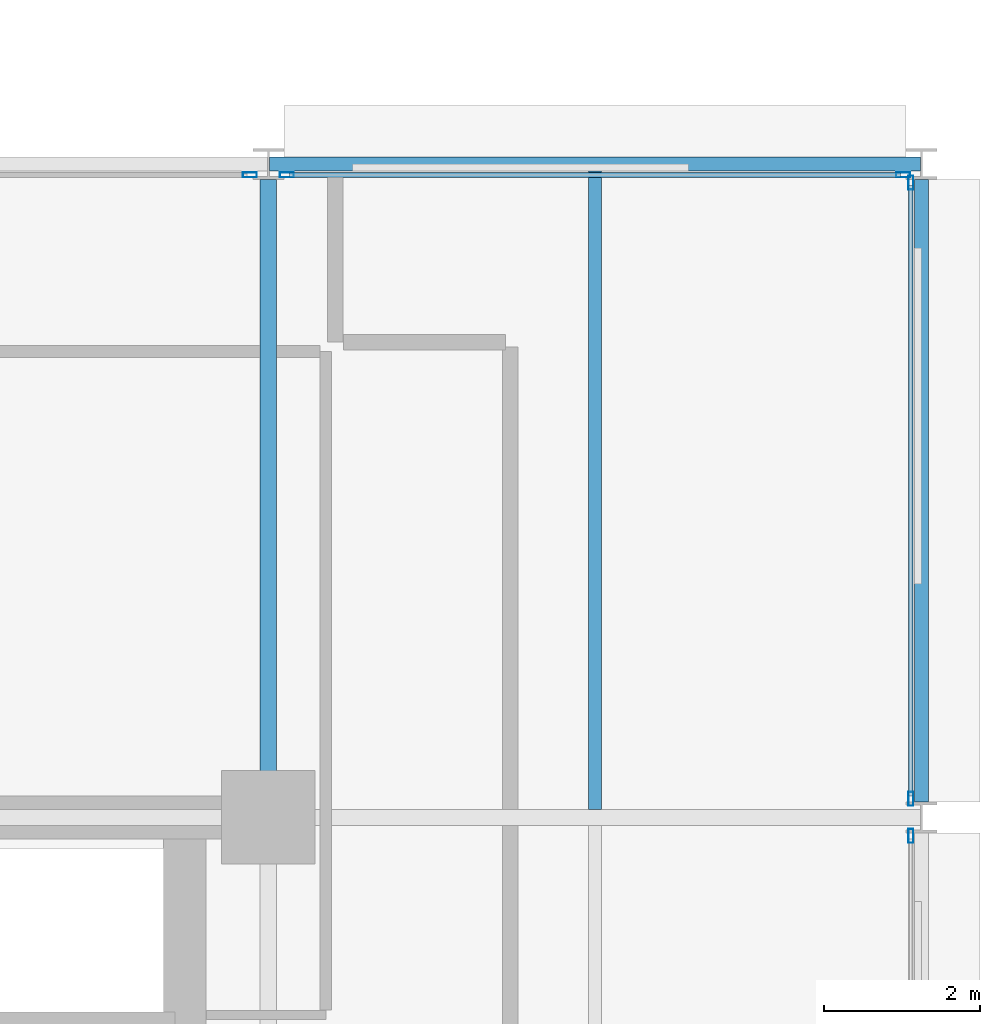
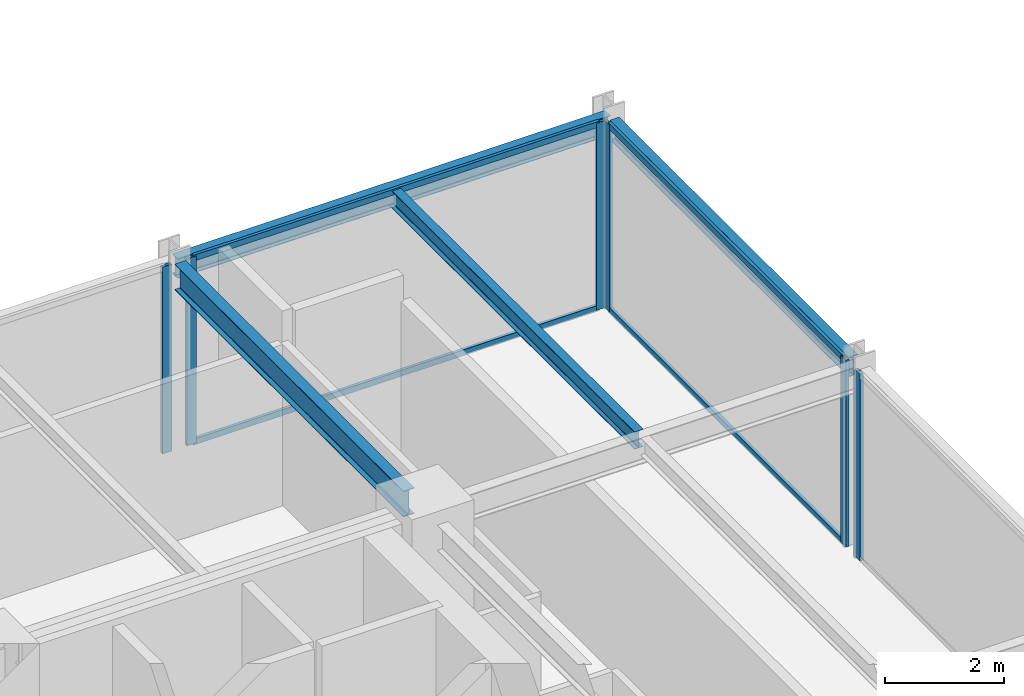
# One storey, part 15 of 30: 10 members, 4 beams, 4 elements without a shape of their own.
"""IFC4 building model written with IfcOpenShell, lengths in metres."""

import ifcopenshell
import ifcopenshell.guid

model = None  # the IFC model being written
_history = None  # IfcOwnerHistory: only IFC2X3 demands one
_inside = {}  # id of a spatial element -> (the spatial element, [elements in it])
_under = {}  # id of a project, library or spatial element -> (it, [spatial elements below it])
_declared = {}  # id of a project -> (the project, [libraries it declares])
_typed = {}  # id of a type object -> (the type object, [elements of that type])
_made_of = {}  # id of a material, layer set ... -> (it, [elements and type objects made of it])


def new_model(schema):
    """Start an empty IFC model of exactly this schema.

    Asked for "IFC4X3", IfcOpenShell would pick the latest addendum, in which some entities
    have other attributes; the version numbers below select the first issue.
    IFC2X3 requires an IfcOwnerHistory on every rooted entity: one is made here for all.
    """
    global model, _history
    if schema == "IFC4X3":
        model = ifcopenshell.file(schema_version=(4, 3, 0, 0))
    else:
        model = ifcopenshell.file(schema=schema)
    _inside.clear()
    _under.clear()
    _declared.clear()
    _typed.clear()
    _made_of.clear()
    _history = None
    if model.schema == "IFC2X3":
        org = make("IfcOrganization", Name="unknown")
        user = make(
            "IfcPersonAndOrganization",
            ThePerson=make("IfcPerson", FamilyName="unknown"),
            TheOrganization=org,
        )
        app = make(
            "IfcApplication",
            ApplicationDeveloper=org,
            Version="unknown",
            ApplicationFullName="unknown",
            ApplicationIdentifier="unknown",
        )
        _history = make(
            "IfcOwnerHistory",
            OwningUser=user,
            OwningApplication=app,
            ChangeAction="ADDED",
            CreationDate=0,
        )
    return model


def make(cls, **values):
    """One entity of the class cls with the attributes given. An attribute that is None is left unset."""
    return model.create_entity(
        cls, **{name: value for name, value in values.items() if value is not None}
    )


def rooted(cls, **values):
    """An entity with a GlobalId (a new one), such as an element, a storey or a relation."""
    return make(cls, GlobalId=ifcopenshell.guid.new(), OwnerHistory=_history, **values)


def si_unit(unit_type, name, prefix=None):
    """IfcSIUnit, for example si_unit("LENGTHUNIT", "METRE", prefix="MILLI")."""
    return make("IfcSIUnit", UnitType=unit_type, Prefix=prefix, Name=name)


def assignment(units):
    """IfcUnitAssignment: the units of a project."""
    return None if units is None else make("IfcUnitAssignment", Units=units)


def point(xyz):
    """IfcCartesianPoint."""
    return None if xyz is None else make("IfcCartesianPoint", Coordinates=xyz)


def direction(xyz):
    """IfcDirection."""
    return None if xyz is None else make("IfcDirection", DirectionRatios=xyz)


def frame(location, z_axis=None, x_axis=None):
    """IfcAxis2Placement3D, a coordinate frame: its origin and axes. An axis left out is left unset."""
    return make(
        "IfcAxis2Placement3D",
        Location=point(location),
        Axis=direction(z_axis),
        RefDirection=direction(x_axis),
    )


def frame_2d(location, x_axis=None):
    """IfcAxis2Placement2D, a coordinate frame in the plane: its origin and x axis."""
    return make(
        "IfcAxis2Placement2D", Location=point(location), RefDirection=direction(x_axis)
    )


def origin():
    """The frame at (0, 0, 0) with its axes left unset."""
    return frame((0.0, 0.0, 0.0))


def origin_2d():
    """The frame at (0, 0) in the plane with its x axis left unset."""
    return frame_2d((0.0, 0.0))


def place(relative_to, where):
    """IfcLocalPlacement: puts the frame where relative to a parent placement (None: the world)."""
    return make(
        "IfcLocalPlacement", PlacementRelTo=relative_to, RelativePlacement=where
    )


def context(
    kind, dimensions, precision=None, world=None, true_north=None, identifier=None
):
    """IfcGeometricRepresentationContext, for example the 3D "Model" context."""
    return make(
        "IfcGeometricRepresentationContext",
        ContextIdentifier=identifier,
        ContextType=kind,
        CoordinateSpaceDimension=dimensions,
        Precision=precision,
        WorldCoordinateSystem=world,
        TrueNorth=true_north,
    )


def subcontext(parent, identifier, kind, view, scale=None):
    """IfcGeometricRepresentationSubContext, for example "Body" below "Model"."""
    return make(
        "IfcGeometricRepresentationSubContext",
        ContextIdentifier=identifier,
        ContextType=kind,
        ParentContext=parent,
        TargetScale=scale,
        TargetView=view,
    )


def project(units=None, contexts=None):
    """IfcProject with its units and contexts."""
    return rooted(
        "IfcProject",
        Name="project",
        RepresentationContexts=contexts,
        UnitsInContext=assignment(units),
    )


def spatial(cls, under=None, at=None, **own):
    """A site, building, storey or space (cls), placed at a placement, below another one or the project."""
    s = rooted(cls, ObjectPlacement=at, **own)
    if under is not None:
        _under.setdefault(under.id(), (under, []))[1].append(s)
    return s


def profile(cls, at=None, kind="AREA", **sizes):
    """A parametric profile (cls). Its sizes go by their IFC names, for example OverallWidth=200.0."""
    return make(cls, ProfileType=kind, Position=at, **sizes)


def hollow_rectangle(**sizes):
    """IfcRectangleHollowProfileDef."""
    return profile("IfcRectangleHollowProfileDef", **sizes)


def i_section(**sizes):
    """IfcIShapeProfileDef."""
    return profile("IfcIShapeProfileDef", **sizes)


def extrude(swept, where, along, depth):
    """IfcExtrudedAreaSolid: the profile swept, set in the frame where, extruded along a direction by depth."""
    return make(
        "IfcExtrudedAreaSolid",
        SweptArea=swept,
        Position=where,
        ExtrudedDirection=direction(along),
        Depth=depth,
    )


def shape(context_of_items, identifier, shape_type, items):
    """IfcShapeRepresentation: the items that make up one representation, for example the "Body"."""
    return make(
        "IfcShapeRepresentation",
        ContextOfItems=context_of_items,
        RepresentationIdentifier=identifier,
        RepresentationType=shape_type,
        Items=items,
    )


def material(Name=None, Category=None):
    """IfcMaterial."""
    return make("IfcMaterial", Name=Name, Category=Category)


def layer(
    of_material, thickness, ventilated=None, Name=None, Category=None, Priority=None
):
    """IfcMaterialLayer: one layer of a wall or slab, of a material (None: an air gap)."""
    return make(
        "IfcMaterialLayer",
        Material=of_material,
        LayerThickness=thickness,
        IsVentilated=ventilated,
        Name=Name,
        Category=Category,
        Priority=Priority,
    )


def layer_set(layers, Name=None):
    """IfcMaterialLayerSet."""
    return make("IfcMaterialLayerSet", MaterialLayers=layers, LayerSetName=Name)


def material_profile(
    of_material, cross_section, Name=None, Category=None, Priority=None
):
    """IfcMaterialProfile: a cross section and its material."""
    return make(
        "IfcMaterialProfile",
        Name=Name,
        Material=of_material,
        Profile=cross_section,
        Priority=Priority,
        Category=Category,
    )


def profile_set(profiles, Name=None, composite=None):
    """IfcMaterialProfileSet."""
    return make(
        "IfcMaterialProfileSet",
        Name=Name,
        MaterialProfiles=profiles,
        CompositeProfile=composite,
    )


def made_of(thing, what):
    """Note that an element or type object is made of a material, layer set ...; save() writes the relation."""
    if what is not None:
        _made_of.setdefault(what.id(), (what, []))[1].append(thing)
    return thing


def type_object(cls, material=None, **own):
    """A type object (cls), such as IfcWallType, which elements share."""
    return made_of(rooted(cls, **own), material)


def element(
    cls,
    number,
    at=None,
    inside=None,
    cuts=None,
    type_object=None,
    material=None,
    context=None,
    identifier="Body",
    shape_type=None,
    held_by="IfcProductDefinitionShape",
    body=None,
    shapes=None,
    **own,
):
    """One element of the class cls, such as IfcWall. Its Tag is "e" and its number.

    at: its placement. inside: the storey or other place that contains it. cuts: it is an
    opening in that element (IfcRelVoidsElement). A single representation is given by context,
    identifier, shape_type and body (its items); several are given by shapes. held_by: the class
    of the entity that holds the representations. save() writes the other relations.
    """
    e = rooted(cls, Tag="e%d" % number, ObjectPlacement=at, **own)
    if body is not None:
        shapes = [shape(context, identifier, shape_type, body)]
    if shapes is not None:
        e.Representation = make(held_by, Representations=shapes)
    if inside is not None:
        _inside.setdefault(inside.id(), (inside, []))[1].append(e)
    if cuts is not None:
        rooted(
            "IfcRelVoidsElement", RelatingBuildingElement=cuts, RelatedOpeningElement=e
        )
    if type_object is not None:
        _typed.setdefault(type_object.id(), (type_object, []))[1].append(e)
    return made_of(e, material)


def aggregate(whole, parts):
    """IfcRelAggregates: a whole, such as a stair, and the parts it consists of."""
    return rooted("IfcRelAggregates", RelatingObject=whole, RelatedObjects=parts)


def save(model, path):
    """Write the relations noted so far, then the file.

    IfcRelAggregates (storeys below a building ...), IfcRelContainedInSpatialStructure (elements
    in a storey), IfcRelDefinesByType, IfcRelAssociatesMaterial and IfcRelDeclares: one each for
    every whole, place, type object, material and project.
    """
    for whole, parts in _under.values():
        aggregate(whole, parts)
    for where, things in _inside.values():
        rooted(
            "IfcRelContainedInSpatialStructure",
            RelatedElements=things,
            RelatingStructure=where,
        )
    for kind, things in _typed.values():
        rooted("IfcRelDefinesByType", RelatedObjects=things, RelatingType=kind)
    for what, things in _made_of.values():
        rooted("IfcRelAssociatesMaterial", RelatedObjects=things, RelatingMaterial=what)
    for by, libraries in _declared.values():
        rooted("IfcRelDeclares", RelatingContext=by, RelatedDefinitions=libraries)
    model.write(path)


model = new_model("IFC4")

# Units and contexts
model_context = context("Model", 3, precision=1e-05, world=origin(), true_north=direction((0.0, 1.0)))
body_context = subcontext(model_context, "Body", "Model", "MODEL_VIEW")
ifc_project = project(units=[si_unit("LENGTHUNIT", "METRE"), si_unit("AREAUNIT", "SQUARE_METRE"), si_unit("VOLUMEUNIT", "CUBIC_METRE"), si_unit("PLANEANGLEUNIT", "RADIAN"), si_unit("MASSUNIT", "GRAM", prefix="KILO")], contexts=[model_context])

# Site, building, storey
site_placement = place(None, origin())
site = spatial("IfcSite", under=ifc_project, at=site_placement, CompositionType="ELEMENT")
building_placement = place(site_placement, origin())
building = spatial("IfcBuilding", under=site, at=building_placement, Name="Nerrivon Quay Data Exchange", CompositionType="ELEMENT")
storey_placement = place(building_placement, frame((0.0, 0.0, 129.5)))
storey = spatial("IfcBuildingStorey", under=building, at=storey_placement, Name="L30", CompositionType="ELEMENT", Elevation=129.5)

# Beams
ifc_material_1 = material(Name="Steel Grade 350", Category="steel")
ifc_material_profile_1 = material_profile(ifc_material_1, i_section(OverallWidth=0.208984375, OverallDepth=0.528076171875, WebThickness=0.009521484375, FlangeThickness=0.01318359375, FilletRadius=0.013916015625, at=origin_2d()), Name="530UB82.0")
ifc_profile_set_1 = profile_set([ifc_material_profile_1], Name="Steel Grade 350")
beam_type_1 = type_object("IfcBeamType", Name="BM-G4-530UB82", PredefinedType="BEAM", material=ifc_profile_set_1)
beam_1_placement = place(storey_placement, frame((33.60009765625, 17.340087890625, 3.56103515625), z_axis=(0.0, 1.0, 0.0), x_axis=(-1.0, 0.0, 0.0)))
element("IfcBeam", 1, at=beam_1_placement, inside=storey, type_object=beam_type_1, Name="L30 NS Girder X=33.6 (16.8..25.2)", PredefinedType="BEAM", context=body_context, shape_type="SweptSolid", body=[
    extrude(i_section(OverallWidth=0.208984375, OverallDepth=0.528076171875, WebThickness=0.009521484375, FlangeThickness=0.01318359375, FilletRadius=0.013916015625, at=origin_2d()), origin(), (0.0, 0.0, 1.0), 7.659912109375),
])
ifc_material_profile_2 = material_profile(ifc_material_1, i_section(OverallWidth=0.1708984375, OverallDepth=0.35595703125, WebThickness=0.00732421875, FlangeThickness=0.011474609375, FilletRadius=0.011474609375, at=origin_2d()), Name="360UB50.7")
ifc_profile_set_2 = profile_set([ifc_material_profile_2], Name="Steel Grade 350")
beam_type_2 = type_object("IfcBeamType", Name="BM-J4-360UB51", PredefinedType="JOIST", material=ifc_profile_set_2)
beam_2_placement = place(storey_placement, frame((37.800048828125, 16.904541015625, 3.64697265625), z_axis=(0.0, 1.0, 0.0), x_axis=(-1.0, 0.0, 0.0)))
element("IfcBeam", 2, at=beam_2_placement, inside=storey, type_object=beam_type_2, Name="L30 Secondary Joist X=37.8 (16.8..25.2)", PredefinedType="JOIST", context=body_context, shape_type="SweptSolid", body=[
    extrude(i_section(OverallWidth=0.1708984375, OverallDepth=0.35595703125, WebThickness=0.00732421875, FlangeThickness=0.011474609375, FilletRadius=0.011474609375, at=origin_2d()), origin(), (0.0, 0.0, 1.0), 8.20654296875),
])
ifc_material_profile_3 = material_profile(ifc_material_1, i_section(OverallWidth=0.177978515625, OverallDepth=0.403076171875, WebThickness=0.007568359375, FlangeThickness=0.010986328125, FilletRadius=0.011474609375, at=origin_2d()), Name="410UB53.7")
ifc_profile_set_3 = profile_set([ifc_material_profile_3], Name="Steel Grade 350")
beam_type_3 = type_object("IfcBeamType", Name="BM-SP2-410UB54", PredefinedType="SPANDREL", material=ifc_profile_set_3)
beam_3_placement = place(storey_placement, frame((33.612548828125, 25.199951171875, 3.62353515625), z_axis=(1.0, 0.0, 0.0), x_axis=(0.0, 1.0, 0.0)))
element("IfcBeam", 3, at=beam_3_placement, inside=storey, type_object=beam_type_3, Name="L30 EW Girder Y=25.2 (33.6..42.0)", PredefinedType="SPANDREL", context=body_context, shape_type="SweptSolid", body=[
    extrude(i_section(OverallWidth=0.177978515625, OverallDepth=0.403076171875, WebThickness=0.007568359375, FlangeThickness=0.010986328125, FilletRadius=0.011474609375, at=origin_2d()), origin(), (0.0, 0.0, 1.0), 8.375),
])
beam_4_placement = place(storey_placement, frame((42.0, 17.0, 3.62353515625), z_axis=(0.0, 1.0, 0.0), x_axis=(-1.0, 0.0, 0.0)))
element("IfcBeam", 4, at=beam_4_placement, inside=storey, type_object=beam_type_3, Name="L30 NS Girder X=42.0 (16.8..25.2)", PredefinedType="SPANDREL", context=body_context, shape_type="SweptSolid", body=[
    extrude(i_section(OverallWidth=0.177978515625, OverallDepth=0.403076171875, WebThickness=0.007568359375, FlangeThickness=0.010986328125, FilletRadius=0.011474609375, at=origin_2d()), origin(), (0.0, 0.0, 1.0), 8.0),
])

# Curtain wall, member
ifc_material_2 = material(Name="Anodised aluminium 6063-T6", Category="aluminium")
ifc_layer = layer(ifc_material_2, 0.2099609375)
ifc_layer_set = layer_set([ifc_layer], Name="Anodised aluminium 6063-T6")
curtain_wall_type = type_object("IfcCurtainWallType", Name="CW-SYS-02", PredefinedType="NOTDEFINED", material=ifc_layer_set)
curtain_wall_1_placement = place(storey_placement, origin())
curtain_wall_1 = element("IfcCurtainWall", 5, at=curtain_wall_1_placement, inside=storey, type_object=curtain_wall_type, Name="L30 Unitised Curtain Wall 26", PredefinedType="NOTDEFINED")
ifc_material_profile_4 = material_profile(ifc_material_2, hollow_rectangle(XDim=0.06494140625, YDim=0.179931640625, WallThickness=0.00341796875, at=origin_2d()), Name="ALU-MULL-180x65")
ifc_profile_set_4 = profile_set([ifc_material_profile_4], Name="Anodised aluminium 6063-T6")
member_type_1 = type_object("IfcMemberType", Name="CWM-180x65", PredefinedType="MULLION", material=ifc_profile_set_4)
member_1_placement = place(storey_placement, frame((33.362548828125, 25.06005859375, 0.0), z_axis=(0.0, 0.0, 1.0), x_axis=(0.0, 1.0, 0.0)))
member_1 = element("IfcMember", 6, at=member_1_placement, type_object=member_type_1, Name="CW02 mullion 2", PredefinedType="MULLION", context=body_context, shape_type="SweptSolid", body=[
    extrude(hollow_rectangle(XDim=0.06494140625, YDim=0.179931640625, WallThickness=0.00341796875, at=origin_2d()), origin(), (0.0, 0.0, 1.0), 3.824951171875),
])
aggregate(curtain_wall_1, [member_1])

# Curtain wall, members
curtain_wall_2_placement = place(storey_placement, origin())
curtain_wall_2 = element("IfcCurtainWall", 7, at=curtain_wall_2_placement, inside=storey, type_object=curtain_wall_type, Name="L30 Unitised Curtain Wall 27", PredefinedType="NOTDEFINED")
member_2_placement = place(storey_placement, frame((33.83740234375, 25.06005859375, 0.0), z_axis=(0.0, 0.0, 1.0), x_axis=(0.0, 1.0, 0.0)))
member_2 = element("IfcMember", 8, at=member_2_placement, type_object=member_type_1, Name="CW02 mullion 1", PredefinedType="MULLION", context=body_context, shape_type="SweptSolid", body=[
    extrude(hollow_rectangle(XDim=0.06494140625, YDim=0.179931640625, WallThickness=0.00341796875, at=origin_2d()), origin(), (0.0, 0.0, 1.0), 3.824951171875),
])
member_3_placement = place(storey_placement, frame((41.762451171875, 25.06005859375, 0.0), z_axis=(0.0, 0.0, 1.0), x_axis=(0.0, 1.0, 0.0)))
member_3 = element("IfcMember", 9, at=member_3_placement, type_object=member_type_1, Name="CW02 mullion 2", PredefinedType="MULLION", context=body_context, shape_type="SweptSolid", body=[
    extrude(hollow_rectangle(XDim=0.06494140625, YDim=0.179931640625, WallThickness=0.00341796875, at=origin_2d()), origin(), (0.0, 0.0, 1.0), 3.824951171875),
])

curtain_wall_3_placement = place(storey_placement, origin())
curtain_wall_3 = element("IfcCurtainWall", 10, at=curtain_wall_3_placement, inside=storey, type_object=curtain_wall_type, Name="L30 Unitised Curtain Wall 28", PredefinedType="NOTDEFINED")
member_4_placement = place(storey_placement, frame((41.860107421875, 24.96240234375, 0.0), z_axis=(0.0, 0.0, 1.0), x_axis=(1.0, 0.0, 0.0)))
member_4 = element("IfcMember", 11, at=member_4_placement, type_object=member_type_1, Name="CW02 mullion 1", PredefinedType="MULLION", context=body_context, shape_type="SweptSolid", body=[
    extrude(hollow_rectangle(XDim=0.06494140625, YDim=0.179931640625, WallThickness=0.00341796875, at=origin_2d()), origin(), (0.0, 0.0, 1.0), 3.824951171875),
])
member_5_placement = place(storey_placement, frame((41.860107421875, 17.03759765625, 0.0), z_axis=(0.0, 0.0, 1.0), x_axis=(1.0, 0.0, 0.0)))
member_5 = element("IfcMember", 12, at=member_5_placement, type_object=member_type_1, Name="CW02 mullion 2", PredefinedType="MULLION", context=body_context, shape_type="SweptSolid", body=[
    extrude(hollow_rectangle(XDim=0.06494140625, YDim=0.179931640625, WallThickness=0.00341796875, at=origin_2d()), origin(), (0.0, 0.0, 1.0), 3.824951171875),
])

# Curtain wall, member
curtain_wall_4_placement = place(storey_placement, origin())
curtain_wall_4 = element("IfcCurtainWall", 13, at=curtain_wall_4_placement, inside=storey, type_object=curtain_wall_type, Name="L30 Unitised Curtain Wall 29", PredefinedType="NOTDEFINED")
member_6_placement = place(storey_placement, frame((41.860107421875, 16.5625, 0.0), z_axis=(0.0, 0.0, 1.0), x_axis=(1.0, 0.0, 0.0)))
member_6 = element("IfcMember", 14, at=member_6_placement, type_object=member_type_1, Name="CW02 mullion 1", PredefinedType="MULLION", context=body_context, shape_type="SweptSolid", body=[
    extrude(hollow_rectangle(XDim=0.06494140625, YDim=0.179931640625, WallThickness=0.00341796875, at=origin_2d()), origin(), (0.0, 0.0, 1.0), 3.824951171875),
])
aggregate(curtain_wall_4, [member_6])

# Member
ifc_material_profile_5 = material_profile(ifc_material_2, hollow_rectangle(XDim=0.06005859375, YDim=0.1201171875, WallThickness=0.003173828125, at=origin_2d()), Name="ALU-TRAN-120x60")
ifc_profile_set_5 = profile_set([ifc_material_profile_5], Name="Anodised aluminium 6063-T6")
member_type_2 = type_object("IfcMemberType", Name="CWT-120x60", PredefinedType="USERDEFINED", material=ifc_profile_set_5)
member_7_placement = place(storey_placement, frame((33.875, 25.06005859375, 0.032470703125), z_axis=(1.0, 0.0, 0.0), x_axis=(0.0, 1.0, 0.0)))
member_7 = element("IfcMember", 15, at=member_7_placement, type_object=member_type_2, Name="CW02 transom 1.1", ObjectType="TRANSOM", PredefinedType="USERDEFINED", context=body_context, shape_type="SweptSolid", body=[
    extrude(hollow_rectangle(XDim=0.06005859375, YDim=0.1201171875, WallThickness=0.003173828125, at=origin_2d()), origin(), (0.0, 0.0, 1.0), 7.85009765625),
])

member_8_placement = place(storey_placement, frame((33.875, 25.06005859375, 3.79248046875), z_axis=(1.0, 0.0, 0.0), x_axis=(0.0, 1.0, 0.0)))
member_8 = element("IfcMember", 16, at=member_8_placement, type_object=member_type_2, Name="CW02 transom 1.2", ObjectType="TRANSOM", PredefinedType="USERDEFINED", context=body_context, shape_type="SweptSolid", body=[
    extrude(hollow_rectangle(XDim=0.06005859375, YDim=0.1201171875, WallThickness=0.003173828125, at=origin_2d()), origin(), (0.0, 0.0, 1.0), 7.85009765625),
])

aggregate(curtain_wall_2, [member_2, member_3, member_7, member_8])

member_9_placement = place(storey_placement, frame((41.860107421875, 24.925048828125, 0.032470703125), z_axis=(0.0, -1.0, 0.0), x_axis=(1.0, 0.0, 0.0)))
member_9 = element("IfcMember", 17, at=member_9_placement, type_object=member_type_2, Name="CW02 transom 1.1", ObjectType="TRANSOM", PredefinedType="USERDEFINED", context=body_context, shape_type="SweptSolid", body=[
    extrude(hollow_rectangle(XDim=0.06005859375, YDim=0.1201171875, WallThickness=0.003173828125, at=origin_2d()), origin(), (0.0, 0.0, 1.0), 7.85009765625),
])

member_10_placement = place(storey_placement, frame((41.860107421875, 24.925048828125, 3.79248046875), z_axis=(0.0, -1.0, 0.0), x_axis=(1.0, 0.0, 0.0)))
member_10 = element("IfcMember", 18, at=member_10_placement, type_object=member_type_2, Name="CW02 transom 1.2", ObjectType="TRANSOM", PredefinedType="USERDEFINED", context=body_context, shape_type="SweptSolid", body=[
    extrude(hollow_rectangle(XDim=0.06005859375, YDim=0.1201171875, WallThickness=0.003173828125, at=origin_2d()), origin(), (0.0, 0.0, 1.0), 7.85009765625),
])

aggregate(curtain_wall_3, [member_4, member_5, member_9, member_10])

save(model, "model.ifc")
